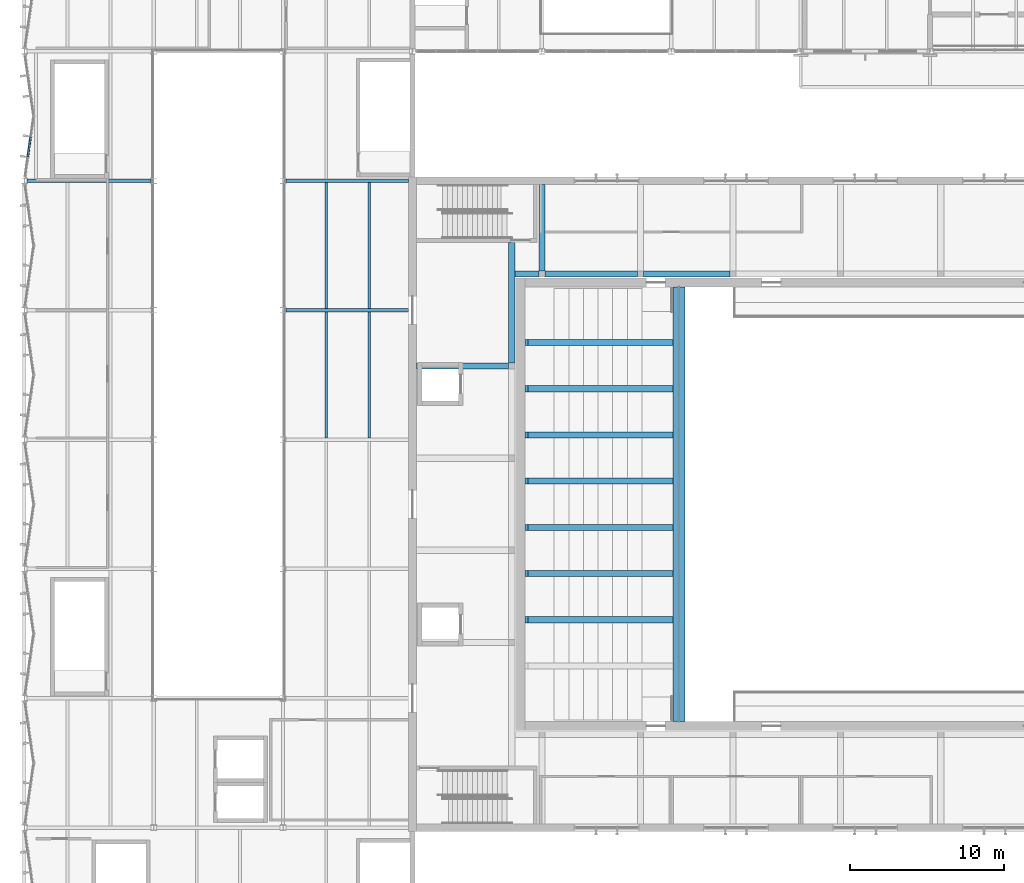
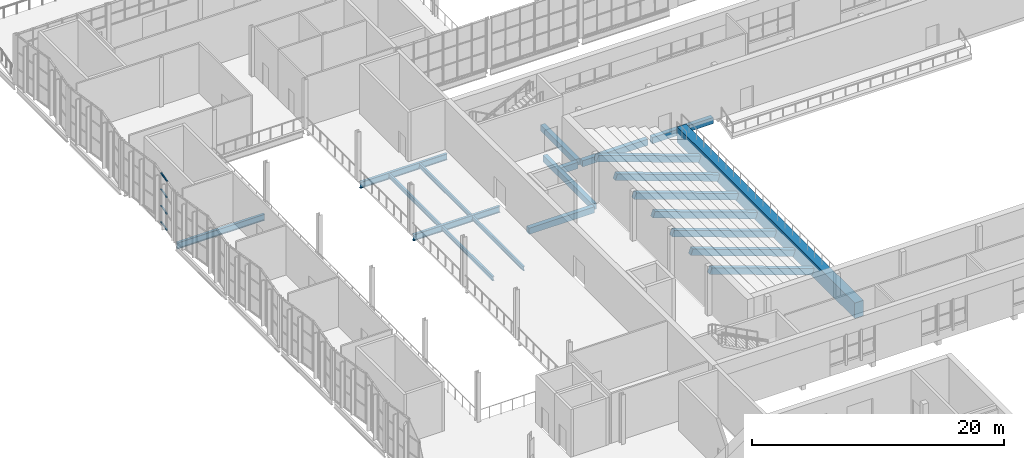
# One storey, part 33 of 116: 21 beams, 4 members, 1 element without a shape of its own.
"""IFC4 building model written with IfcOpenShell, lengths in metres."""

from ifc_helpers import new_model, si_unit, direction, frame, origin, origin_2d, place, context, subcontext, project, spatial, rectangle, i_section, extrude, material, material_profile, profile_set, type_object, element, aggregate, save


model = new_model("IFC4")

# Units and contexts
model_context = context("Model", 3, precision=1e-05, world=origin(), true_north=direction((0.0, 1.0)))
body_context = subcontext(model_context, "Body", "Model", "MODEL_VIEW")
ifc_project = project(units=[si_unit("LENGTHUNIT", "METRE"), si_unit("AREAUNIT", "SQUARE_METRE"), si_unit("VOLUMEUNIT", "CUBIC_METRE"), si_unit("PLANEANGLEUNIT", "RADIAN"), si_unit("MASSUNIT", "GRAM", prefix="KILO")], contexts=[model_context])

# Site, building, storey
site_placement = place(None, origin())
site = spatial("IfcSite", under=ifc_project, at=site_placement, CompositionType="ELEMENT")
building_placement = place(site_placement, origin())
building = spatial("IfcBuilding", under=site, at=building_placement, Name="Ljudholm Concert House", CompositionType="ELEMENT")
storey_placement = place(building_placement, frame((0.0, 0.0, 10.199951171875)))
storey = spatial("IfcBuildingStorey", under=building, at=storey_placement, Name="L02", CompositionType="ELEMENT", Elevation=10.199951171875)

# Beams
ifc_material_1 = material(Name="Concrete 6,500 psi", Category="concrete")
ifc_material_profile_1 = material_profile(ifc_material_1, rectangle(XDim=0.39990234375, YDim=0.60009765625, at=origin_2d()), Name="RC BEAM 400x600")
ifc_profile_set_1 = profile_set([ifc_material_profile_1], Name="Concrete 6,500 psi")
beam_type_1 = type_object("IfcBeamType", Name="RC BEAM 400x600", PredefinedType="BEAM", material=ifc_profile_set_1)
beam_1_placement = place(storey_placement, frame((37.800048828125, 90.35009765625, -0.550048828125), z_axis=(1.0, 0.0, 0.0), x_axis=(0.0, 1.0, 0.0)))
element("IfcBeam", 1, at=beam_1_placement, inside=storey, type_object=beam_type_1, Name="Ring beam", PredefinedType="BEAM", context=body_context, shape_type="SweptSolid", body=[
    extrude(rectangle(XDim=0.39990234375, YDim=0.60009765625, at=origin_2d()), origin(), (0.0, 0.0, 1.0), 6.0),
])
beam_2_placement = place(storey_placement, frame((44.199951171875, 90.35009765625, -0.550048828125), z_axis=(1.0, 0.0, 0.0), x_axis=(0.0, 1.0, 0.0)))
element("IfcBeam", 2, at=beam_2_placement, inside=storey, type_object=beam_type_1, Name="Ring beam", PredefinedType="BEAM", context=body_context, shape_type="SweptSolid", body=[
    extrude(rectangle(XDim=0.39990234375, YDim=0.60009765625, at=origin_2d()), origin(), (0.0, 0.0, 1.0), 5.60009765625),
])
beam_3_placement = place(storey_placement, frame((37.60009765625, 90.550048828125, -0.550048828125), z_axis=(0.0, 1.0, 0.0), x_axis=(-1.0, 0.0, 0.0)))
element("IfcBeam", 3, at=beam_3_placement, inside=storey, type_object=beam_type_1, Name="Ring cross beam", PredefinedType="BEAM", context=body_context, shape_type="SweptSolid", body=[
    extrude(rectangle(XDim=0.39990234375, YDim=0.60009765625, at=origin_2d()), origin(), (0.0, 0.0, 1.0), 5.599853515625),
])
beam_4_placement = place(storey_placement, frame((35.449951171875, 84.3701171875, -0.550048828125), z_axis=(-1.0, 0.0, 0.0), x_axis=(0.0, -1.0, 0.0)))
element("IfcBeam", 4, at=beam_4_placement, inside=storey, type_object=beam_type_1, Name="Ring cross beam", PredefinedType="BEAM", context=body_context, shape_type="SweptSolid", body=[
    extrude(rectangle(XDim=0.39990234375, YDim=0.60009765625, at=origin_2d()), origin(), (0.0, 0.0, 1.0), 6.0),
])
beam_5_placement = place(storey_placement, frame((35.85009765625, 90.35009765625, -0.550048828125), z_axis=(1.0, 0.0, 0.0), x_axis=(0.0, 1.0, 0.0)))
element("IfcBeam", 5, at=beam_5_placement, inside=storey, type_object=beam_type_1, Name="Ring beam", PredefinedType="BEAM", context=body_context, shape_type="SweptSolid", body=[
    extrude(rectangle(XDim=0.39990234375, YDim=0.60009765625, at=origin_2d()), origin(), (0.0, 0.0, 1.0), 1.5498046875),
])
beam_6_placement = place(storey_placement, frame((35.64990234375, 84.570068359375, -0.550048828125), z_axis=(0.0, 1.0, 0.0), x_axis=(-1.0, 0.0, 0.0)))
element("IfcBeam", 6, at=beam_6_placement, inside=storey, type_object=beam_type_1, Name="Ring beam", PredefinedType="BEAM", context=body_context, shape_type="SweptSolid", body=[
    extrude(rectangle(XDim=0.39990234375, YDim=0.60009765625, at=origin_2d()), origin(), (0.0, 0.0, 1.0), 7.829833984375),
])
ifc_material_2 = material(Name="Concrete 6,500 psi", Category="concrete")
ifc_material_profile_2 = material_profile(ifc_material_2, rectangle(XDim=0.39990234375, YDim=0.60009765625, at=origin_2d()), Name="RC BEAM 400x600 BEAM")
ifc_profile_set_2 = profile_set([ifc_material_profile_2], Name="Concrete 6,500 psi")
beam_type_2 = type_object("IfcBeamType", Name="RC BEAM 400x600 BEAM", PredefinedType="BEAM", material=ifc_profile_set_2)
for number, where, z_axis, x_axis, name in (
    (7, (36.6005859375, 67.89990234375, 3.086181640625), (0.941519274901, 0.0, -0.336959129554), (0.0, 1.0, 0.0), "Raker beam"),
    (8, (36.6005859375, 70.89990234375, 3.086181640625), (0.941519274901, 0.0, -0.336959129554), (0.0, 1.0, 0.0), "Raker beam"),
    (9, (36.6005859375, 73.89990234375, 3.086181640625), (0.941519274901, 0.0, -0.336959129554), (0.0, 1.0, 0.0), "Raker beam"),
    (10, (36.6005859375, 76.89990234375, 3.086181640625), (0.941519274901, 0.0, -0.336959129554), (0.0, 1.0, 0.0), "Raker beam"),
    (11, (36.6005859375, 79.89990234375, 3.086181640625), (0.941519274901, 0.0, -0.336959129554), (0.0, 1.0, 0.0), "Raker beam"),
    (12, (36.6005859375, 82.89990234375, 3.086181640625), (0.941519274901, 0.0, -0.336959129554), (0.0, 1.0, 0.0), "Raker beam"),
    (13, (36.6005859375, 85.89990234375, 3.086181640625), (0.941519274901, 0.0, -0.336959129554), (0.0, 1.0, 0.0), "Raker beam"),
):
    element("IfcBeam", number, at=place(storey_placement, frame(where, z_axis=z_axis, x_axis=x_axis)), inside=storey, type_object=beam_type_2, Name=name, PredefinedType="BEAM", context=body_context, shape_type="SweptSolid", body=[
        extrude(rectangle(XDim=0.39990234375, YDim=0.60009765625, at=origin_2d()), origin(), (0.0, 0.0, 1.0), 9.982666015625),
    ])
ifc_material_3 = material(Name="Concrete 6,500 psi", Category="concrete")
ifc_material_profile_3 = material_profile(ifc_material_3, rectangle(XDim=0.800048828125, YDim=1.5, at=origin_2d()), Name="RC BEAM 800x1500 BEAM")
ifc_profile_set_3 = profile_set([ifc_material_profile_3], Name="Concrete 6,500 psi")
beam_type_3 = type_object("IfcBeamType", Name="RC BEAM 800x1500 BEAM", PredefinedType="BEAM", material=ifc_profile_set_3)
beam_7_placement = place(storey_placement, frame((46.5, 61.300048828125, -0.213623046875), z_axis=(0.0, 1.0, 0.0), x_axis=(-1.0, 0.0, 0.0)))
element("IfcBeam", 14, at=beam_7_placement, inside=storey, type_object=beam_type_3, Name="Balcony front girder", PredefinedType="BEAM", context=body_context, shape_type="SweptSolid", body=[
    extrude(rectangle(XDim=0.800048828125, YDim=1.5, at=origin_2d()), origin(), (0.0, 0.0, 1.0), 28.199951171875),
])
ifc_material_4 = material(Name="Steel ASTM A992", Category="steel")
ifc_material_profile_4 = material_profile(ifc_material_4, i_section(OverallWidth=0.177734375, OverallDepth=0.406494140625, WebThickness=0.0078125, FlangeThickness=0.012939453125, FilletRadius=0.01025390625, at=origin_2d()), Name="W16X40")
ifc_profile_set_4 = profile_set([ifc_material_profile_4], Name="Steel ASTM A992")
beam_type_4 = type_object("IfcBeamType", Name="STEEL BEAM W16X40", PredefinedType="BEAM", material=ifc_profile_set_4)
for number, where, z_axis, x_axis, name in (
    (15, (23.60009765625, 79.714599609375, -0.383056640625), (0.0, 1.0, 0.0), (-1.0, 0.0, 0.0), "Secondary beam"),
    (16, (23.60009765625, 88.114501953125, -0.383056640625), (0.0, 1.0, 0.0), (-1.0, 0.0, 0.0), "Secondary beam"),
    (17, (26.39990234375, 79.714599609375, -0.383056640625), (0.0, 1.0, 0.0), (-1.0, 0.0, 0.0), "Secondary beam"),
    (18, (26.39990234375, 88.114501953125, -0.383056640625), (0.0, 1.0, 0.0), (-1.0, 0.0, 0.0), "Secondary beam"),
):
    element("IfcBeam", number, at=place(storey_placement, frame(where, z_axis=z_axis, x_axis=x_axis)), inside=storey, type_object=beam_type_4, Name=name, PredefinedType="BEAM", context=body_context, shape_type="SweptSolid", body=[
        extrude(i_section(OverallWidth=0.177734375, OverallDepth=0.406494140625, WebThickness=0.0078125, FlangeThickness=0.012939453125, FilletRadius=0.01025390625, at=origin_2d()), origin(), (0.0, 0.0, 1.0), 8.1708984375),
    ])
ifc_material_5 = material(Name="Steel ASTM A992", Category="steel")
ifc_material_profile_5 = material_profile(ifc_material_5, i_section(OverallWidth=0.22900390625, OverallDepth=0.612060546875, WebThickness=0.011962890625, FlangeThickness=0.01953125, FilletRadius=0.0126953125, at=origin_2d()), Name="W24X84")
ifc_profile_set_5 = profile_set([ifc_material_profile_5], Name="Steel ASTM A992")
beam_type_5 = type_object("IfcBeamType", Name="STEEL BEAM W24X84", PredefinedType="BEAM", material=ifc_profile_set_5)
beam_8_placement = place(storey_placement, frame((20.986572265625, 88.0, -0.486083984375), z_axis=(1.0, 0.0, 0.0), x_axis=(0.0, 1.0, 0.0)))
element("IfcBeam", 19, at=beam_8_placement, inside=storey, type_object=beam_type_5, Name="Floor girder", PredefinedType="BEAM", context=body_context, shape_type="SweptSolid", body=[
    extrude(i_section(OverallWidth=0.22900390625, OverallDepth=0.612060546875, WebThickness=0.011962890625, FlangeThickness=0.01953125, FilletRadius=0.0126953125, at=origin_2d()), origin(), (0.0, 0.0, 1.0), 7.96337890625),
])
beam_9_placement = place(storey_placement, frame((4.186767578125, 96.39990234375, -0.486083984375), z_axis=(1.0, 0.0, 0.0), x_axis=(0.0, 1.0, 0.0)))
element("IfcBeam", 20, at=beam_9_placement, inside=storey, type_object=beam_type_5, Name="Floor girder", PredefinedType="BEAM", context=body_context, shape_type="SweptSolid", body=[
    extrude(i_section(OverallWidth=0.22900390625, OverallDepth=0.612060546875, WebThickness=0.011962890625, FlangeThickness=0.01953125, FilletRadius=0.0126953125, at=origin_2d()), origin(), (0.0, 0.0, 1.0), 8.026611328125),
])
beam_10_placement = place(storey_placement, frame((20.986572265625, 96.39990234375, -0.486083984375), z_axis=(1.0, 0.0, 0.0), x_axis=(0.0, 1.0, 0.0)))
element("IfcBeam", 21, at=beam_10_placement, inside=storey, type_object=beam_type_5, Name="Floor girder", PredefinedType="BEAM", context=body_context, shape_type="SweptSolid", body=[
    extrude(i_section(OverallWidth=0.22900390625, OverallDepth=0.612060546875, WebThickness=0.011962890625, FlangeThickness=0.01953125, FilletRadius=0.0126953125, at=origin_2d()), origin(), (0.0, 0.0, 1.0), 7.96337890625),
])

# Curtain wall, members
ifc_material_6 = material(Name="Aluminium curtain wall with impact-rated laminated glass", Category="aluminium")
curtain_wall_type = type_object("IfcCurtainWallType", Name="CURTAIN WALL 1400", PredefinedType="NOTDEFINED", material=ifc_material_6)
curtain_wall_placement = place(storey_placement, origin())
curtain_wall = element("IfcCurtainWall", 22, at=curtain_wall_placement, inside=storey, type_object=curtain_wall_type, Name="Facade curtain wall", PredefinedType="NOTDEFINED")
ifc_material_7 = material(Name="Aluminium extrusion", Category="aluminium")
ifc_material_profile_6 = material_profile(ifc_material_7, rectangle(XDim=0.1201171875, YDim=0.06005859375, at=origin_2d()), Name="TRANSOM 60x120")
ifc_profile_set_6 = profile_set([ifc_material_profile_6], Name="Aluminium extrusion")
member_type = type_object("IfcMemberType", Name="TRANSOM 60x120", PredefinedType="USERDEFINED", material=ifc_profile_set_6)
member_1_placement = place(storey_placement, frame((4.22509765625, 97.974853515625, 0.030029296875), z_axis=(0.141421356237, 0.989949493661, 0.0), x_axis=(-0.989949493661, 0.141421356237, 0.0)))
member_1 = element("IfcMember", 23, at=member_1_placement, type_object=member_type, Name="Transom", ObjectType="TRANSOM", PredefinedType="USERDEFINED", context=body_context, shape_type="SweptSolid", body=[
    extrude(rectangle(XDim=0.1201171875, YDim=0.06005859375, at=origin_2d()), origin(), (0.0, 0.0, 1.0), 1.281005859375),
])
member_2_placement = place(storey_placement, frame((4.22509765625, 97.974853515625, 1.60009765625), z_axis=(0.141421356237, 0.989949493661, 0.0), x_axis=(-0.989949493661, 0.141421356237, 0.0)))
member_2 = element("IfcMember", 24, at=member_2_placement, type_object=member_type, Name="Transom", ObjectType="TRANSOM", PredefinedType="USERDEFINED", context=body_context, shape_type="SweptSolid", body=[
    extrude(rectangle(XDim=0.1201171875, YDim=0.06005859375, at=origin_2d()), origin(), (0.0, 0.0, 1.0), 1.281005859375),
])
member_3_placement = place(storey_placement, frame((4.22509765625, 97.974853515625, 3.199951171875), z_axis=(0.141421356237, 0.989949493661, 0.0), x_axis=(-0.989949493661, 0.141421356237, 0.0)))
member_3 = element("IfcMember", 25, at=member_3_placement, type_object=member_type, Name="Transom", ObjectType="TRANSOM", PredefinedType="USERDEFINED", context=body_context, shape_type="SweptSolid", body=[
    extrude(rectangle(XDim=0.1201171875, YDim=0.06005859375, at=origin_2d()), origin(), (0.0, 0.0, 1.0), 1.281005859375),
])
member_4_placement = place(storey_placement, frame((4.22509765625, 97.974853515625, 4.77001953125), z_axis=(0.141421356237, 0.989949493661, 0.0), x_axis=(-0.989949493661, 0.141421356237, 0.0)))
member_4 = element("IfcMember", 26, at=member_4_placement, type_object=member_type, Name="Transom", ObjectType="TRANSOM", PredefinedType="USERDEFINED", context=body_context, shape_type="SweptSolid", body=[
    extrude(rectangle(XDim=0.1201171875, YDim=0.06005859375, at=origin_2d()), origin(), (0.0, 0.0, 1.0), 1.281005859375),
])
aggregate(curtain_wall, [member_1, member_2, member_3, member_4])

save(model, "model.ifc")
